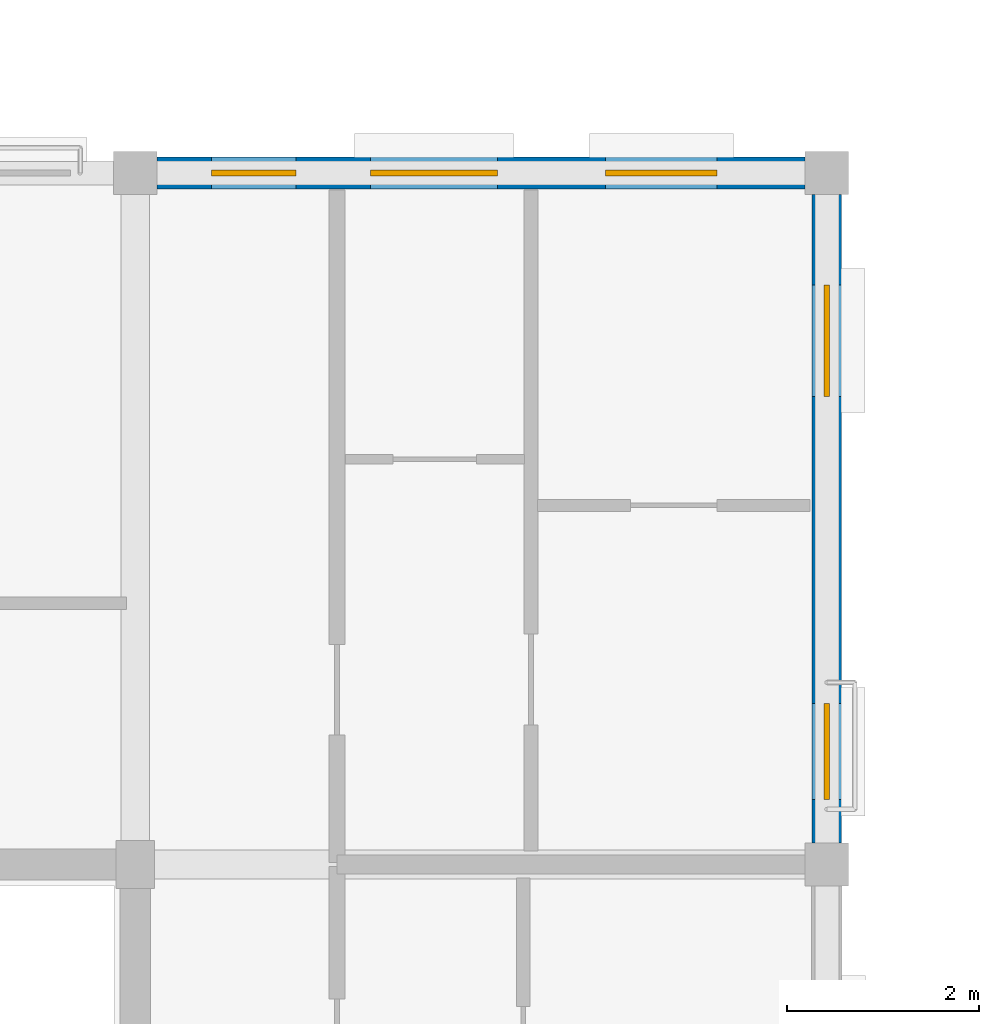
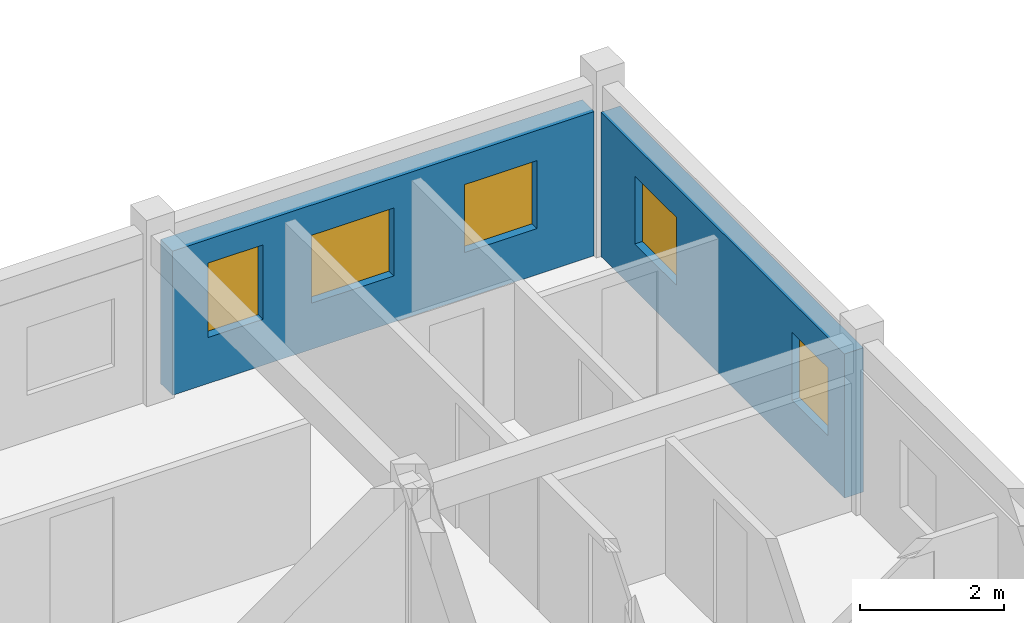
# One storey, part 20 of 28: 5 windows, 2 walls, 5 openings.
"""IFC4 building model written with IfcOpenShell, lengths in metres."""

import ifcopenshell
import ifcopenshell.guid

model = None  # the IFC model being written
_history = None  # IfcOwnerHistory: only IFC2X3 demands one
_inside = {}  # id of a spatial element -> (the spatial element, [elements in it])
_under = {}  # id of a project, library or spatial element -> (it, [spatial elements below it])
_declared = {}  # id of a project -> (the project, [libraries it declares])
_typed = {}  # id of a type object -> (the type object, [elements of that type])
_made_of = {}  # id of a material, layer set ... -> (it, [elements and type objects made of it])


def new_model(schema):
    """Start an empty IFC model of exactly this schema.

    Asked for "IFC4X3", IfcOpenShell would pick the latest addendum, in which some entities
    have other attributes; the version numbers below select the first issue.
    IFC2X3 requires an IfcOwnerHistory on every rooted entity: one is made here for all.
    """
    global model, _history
    if schema == "IFC4X3":
        model = ifcopenshell.file(schema_version=(4, 3, 0, 0))
    else:
        model = ifcopenshell.file(schema=schema)
    _inside.clear()
    _under.clear()
    _declared.clear()
    _typed.clear()
    _made_of.clear()
    _history = None
    if model.schema == "IFC2X3":
        org = make("IfcOrganization", Name="unknown")
        user = make(
            "IfcPersonAndOrganization",
            ThePerson=make("IfcPerson", FamilyName="unknown"),
            TheOrganization=org,
        )
        app = make(
            "IfcApplication",
            ApplicationDeveloper=org,
            Version="unknown",
            ApplicationFullName="unknown",
            ApplicationIdentifier="unknown",
        )
        _history = make(
            "IfcOwnerHistory",
            OwningUser=user,
            OwningApplication=app,
            ChangeAction="ADDED",
            CreationDate=0,
        )
    return model


def make(cls, **values):
    """One entity of the class cls with the attributes given. An attribute that is None is left unset."""
    return model.create_entity(
        cls, **{name: value for name, value in values.items() if value is not None}
    )


def rooted(cls, **values):
    """An entity with a GlobalId (a new one), such as an element, a storey or a relation."""
    return make(cls, GlobalId=ifcopenshell.guid.new(), OwnerHistory=_history, **values)


def si_unit(unit_type, name, prefix=None):
    """IfcSIUnit, for example si_unit("LENGTHUNIT", "METRE", prefix="MILLI")."""
    return make("IfcSIUnit", UnitType=unit_type, Prefix=prefix, Name=name)


def assignment(units):
    """IfcUnitAssignment: the units of a project."""
    return None if units is None else make("IfcUnitAssignment", Units=units)


def point(xyz):
    """IfcCartesianPoint."""
    return None if xyz is None else make("IfcCartesianPoint", Coordinates=xyz)


def direction(xyz):
    """IfcDirection."""
    return None if xyz is None else make("IfcDirection", DirectionRatios=xyz)


def frame(location, z_axis=None, x_axis=None):
    """IfcAxis2Placement3D, a coordinate frame: its origin and axes. An axis left out is left unset."""
    return make(
        "IfcAxis2Placement3D",
        Location=point(location),
        Axis=direction(z_axis),
        RefDirection=direction(x_axis),
    )


def frame_2d(location, x_axis=None):
    """IfcAxis2Placement2D, a coordinate frame in the plane: its origin and x axis."""
    return make(
        "IfcAxis2Placement2D", Location=point(location), RefDirection=direction(x_axis)
    )


def origin():
    """The frame at (0, 0, 0) with its axes left unset."""
    return frame((0.0, 0.0, 0.0))


def place(relative_to, where):
    """IfcLocalPlacement: puts the frame where relative to a parent placement (None: the world)."""
    return make(
        "IfcLocalPlacement", PlacementRelTo=relative_to, RelativePlacement=where
    )


def context(
    kind, dimensions, precision=None, world=None, true_north=None, identifier=None
):
    """IfcGeometricRepresentationContext, for example the 3D "Model" context."""
    return make(
        "IfcGeometricRepresentationContext",
        ContextIdentifier=identifier,
        ContextType=kind,
        CoordinateSpaceDimension=dimensions,
        Precision=precision,
        WorldCoordinateSystem=world,
        TrueNorth=true_north,
    )


def subcontext(parent, identifier, kind, view, scale=None):
    """IfcGeometricRepresentationSubContext, for example "Body" below "Model"."""
    return make(
        "IfcGeometricRepresentationSubContext",
        ContextIdentifier=identifier,
        ContextType=kind,
        ParentContext=parent,
        TargetScale=scale,
        TargetView=view,
    )


def project(units=None, contexts=None):
    """IfcProject with its units and contexts."""
    return rooted(
        "IfcProject",
        Name="project",
        RepresentationContexts=contexts,
        UnitsInContext=assignment(units),
    )


def spatial(cls, under=None, at=None, **own):
    """A site, building, storey or space (cls), placed at a placement, below another one or the project."""
    s = rooted(cls, ObjectPlacement=at, **own)
    if under is not None:
        _under.setdefault(under.id(), (under, []))[1].append(s)
    return s


def profile(cls, at=None, kind="AREA", **sizes):
    """A parametric profile (cls). Its sizes go by their IFC names, for example OverallWidth=200.0."""
    return make(cls, ProfileType=kind, Position=at, **sizes)


def rectangle(**sizes):
    """IfcRectangleProfileDef."""
    return profile("IfcRectangleProfileDef", **sizes)


def extrude(swept, where, along, depth):
    """IfcExtrudedAreaSolid: the profile swept, set in the frame where, extruded along a direction by depth."""
    return make(
        "IfcExtrudedAreaSolid",
        SweptArea=swept,
        Position=where,
        ExtrudedDirection=direction(along),
        Depth=depth,
    )


def shape(context_of_items, identifier, shape_type, items):
    """IfcShapeRepresentation: the items that make up one representation, for example the "Body"."""
    return make(
        "IfcShapeRepresentation",
        ContextOfItems=context_of_items,
        RepresentationIdentifier=identifier,
        RepresentationType=shape_type,
        Items=items,
    )


def material(Name=None, Category=None):
    """IfcMaterial."""
    return make("IfcMaterial", Name=Name, Category=Category)


def layer(
    of_material, thickness, ventilated=None, Name=None, Category=None, Priority=None
):
    """IfcMaterialLayer: one layer of a wall or slab, of a material (None: an air gap)."""
    return make(
        "IfcMaterialLayer",
        Material=of_material,
        LayerThickness=thickness,
        IsVentilated=ventilated,
        Name=Name,
        Category=Category,
        Priority=Priority,
    )


def layer_set(layers, Name=None):
    """IfcMaterialLayerSet."""
    return make("IfcMaterialLayerSet", MaterialLayers=layers, LayerSetName=Name)


def made_of(thing, what):
    """Note that an element or type object is made of a material, layer set ...; save() writes the relation."""
    if what is not None:
        _made_of.setdefault(what.id(), (what, []))[1].append(thing)
    return thing


def type_object(cls, material=None, **own):
    """A type object (cls), such as IfcWallType, which elements share."""
    return made_of(rooted(cls, **own), material)


def element(
    cls,
    number,
    at=None,
    inside=None,
    cuts=None,
    type_object=None,
    material=None,
    context=None,
    identifier="Body",
    shape_type=None,
    held_by="IfcProductDefinitionShape",
    body=None,
    shapes=None,
    **own,
):
    """One element of the class cls, such as IfcWall. Its Tag is "e" and its number.

    at: its placement. inside: the storey or other place that contains it. cuts: it is an
    opening in that element (IfcRelVoidsElement). A single representation is given by context,
    identifier, shape_type and body (its items); several are given by shapes. held_by: the class
    of the entity that holds the representations. save() writes the other relations.
    """
    e = rooted(cls, Tag="e%d" % number, ObjectPlacement=at, **own)
    if body is not None:
        shapes = [shape(context, identifier, shape_type, body)]
    if shapes is not None:
        e.Representation = make(held_by, Representations=shapes)
    if inside is not None:
        _inside.setdefault(inside.id(), (inside, []))[1].append(e)
    if cuts is not None:
        rooted(
            "IfcRelVoidsElement", RelatingBuildingElement=cuts, RelatedOpeningElement=e
        )
    if type_object is not None:
        _typed.setdefault(type_object.id(), (type_object, []))[1].append(e)
    return made_of(e, material)


def fill(opening, filler):
    """IfcRelFillsElement: the door or window that sits in an opening."""
    return rooted(
        "IfcRelFillsElement",
        RelatingOpeningElement=opening,
        RelatedBuildingElement=filler,
    )


def aggregate(whole, parts):
    """IfcRelAggregates: a whole, such as a stair, and the parts it consists of."""
    return rooted("IfcRelAggregates", RelatingObject=whole, RelatedObjects=parts)


def save(model, path):
    """Write the relations noted so far, then the file.

    IfcRelAggregates (storeys below a building ...), IfcRelContainedInSpatialStructure (elements
    in a storey), IfcRelDefinesByType, IfcRelAssociatesMaterial and IfcRelDeclares: one each for
    every whole, place, type object, material and project.
    """
    for whole, parts in _under.values():
        aggregate(whole, parts)
    for where, things in _inside.values():
        rooted(
            "IfcRelContainedInSpatialStructure",
            RelatedElements=things,
            RelatingStructure=where,
        )
    for kind, things in _typed.values():
        rooted("IfcRelDefinesByType", RelatedObjects=things, RelatingType=kind)
    for what, things in _made_of.values():
        rooted("IfcRelAssociatesMaterial", RelatedObjects=things, RelatingMaterial=what)
    for by, libraries in _declared.values():
        rooted("IfcRelDeclares", RelatingContext=by, RelatedDefinitions=libraries)
    model.write(path)


model = new_model("IFC4")

# Units and contexts
model_context = context("Model", 3, precision=1e-05, world=origin(), true_north=direction((0.0, 1.0)))
body_context = subcontext(model_context, "Body", "Model", "MODEL_VIEW")
ifc_project = project(units=[si_unit("LENGTHUNIT", "METRE"), si_unit("AREAUNIT", "SQUARE_METRE"), si_unit("VOLUMEUNIT", "CUBIC_METRE"), si_unit("PLANEANGLEUNIT", "RADIAN"), si_unit("MASSUNIT", "GRAM", prefix="KILO"), si_unit("THERMODYNAMICTEMPERATUREUNIT", "KELVIN"), si_unit("POWERUNIT", "WATT")], contexts=[model_context])

# Site, building, storey
site_placement = place(None, origin())
site = spatial("IfcSite", under=ifc_project, at=site_placement, CompositionType="ELEMENT")
building_placement = place(site_placement, origin())
building = spatial("IfcBuilding", under=site, at=building_placement, Name="Tavuni Mirador Residences", CompositionType="ELEMENT")
storey_placement = place(building_placement, frame((0.0, 0.0, 39.14990234375)))
storey = spatial("IfcBuildingStorey", under=building, at=storey_placement, Name="L12", CompositionType="ELEMENT", Elevation=39.14990234375)

# Wall, openings, windows
ifc_material_1 = material(Name="Precast concrete C40/50", Category="concrete")
ifc_layer_1 = layer(ifc_material_1, 0.330078125, Name="Precast concrete C40/50", Category="concrete")
ifc_layer_set_1 = layer_set([ifc_layer_1], Name="Precast concrete C40/50")
wall_type_1 = type_object("IfcWallType", Name="WT-EXT-COR330", PredefinedType="SOLIDWALL", material=ifc_layer_set_1)
wall_1_placement = place(storey_placement, frame((24.97509765625, 43.199951171875, 0.0), z_axis=(0.0, 0.0, 1.0), x_axis=(-1.0, 0.0, 0.0)))
wall_1 = element("IfcWall", 1, at=wall_1_placement, inside=storey, type_object=wall_type_1, Name="EW-BLK-A-L12-N02", PredefinedType="SOLIDWALL", context=body_context, shape_type="SweptSolid", body=[
    extrude(rectangle(XDim=6.75, YDim=0.330078125, at=frame_2d((3.375, 0.0))), origin(), (0.0, 0.0, 1.0), 2.440185546875),
])
opening_1_placement = place(wall_1_placement, frame((0.91748046875, 0.0, 0.780029296875)))
opening_1 = element("IfcOpeningElement", 2, at=opening_1_placement, cuts=wall_1, Name="Opening WN-05", PredefinedType="OPENING", context=body_context, shape_type="SweptSolid", body=[
    extrude(rectangle(XDim=1.159912109375, YDim=1.14990234375, at=frame_2d((0.580078125, 0.574951171875))), frame((0.0, 0.175048828125, 0.0), z_axis=(0.0, -1.0, 0.0), x_axis=(1.0, 0.0, 0.0)), (0.0, 0.0, 1.0), 0.35009765625),
])
opening_2_placement = place(wall_1_placement, frame((3.205078125, 0.0, 0.780029296875)))
opening_2 = element("IfcOpeningElement", 3, at=opening_2_placement, cuts=wall_1, Name="Opening WN-07", PredefinedType="OPENING", context=body_context, shape_type="SweptSolid", body=[
    extrude(rectangle(XDim=1.320068359375, YDim=1.14990234375, at=frame_2d((0.66015625, 0.574951171875))), frame((0.0, 0.175048828125, 0.0), z_axis=(0.0, -1.0, 0.0), x_axis=(1.0, 0.0, 0.0)), (0.0, 0.0, 1.0), 0.35009765625),
])
opening_3_placement = place(wall_1_placement, frame((5.302490234375, 0.0, 0.780029296875)))
opening_3 = element("IfcOpeningElement", 4, at=opening_3_placement, cuts=wall_1, Name="Opening WN-09", PredefinedType="OPENING", context=body_context, shape_type="SweptSolid", body=[
    extrude(rectangle(XDim=0.8798828125, YDim=1.260009765625, at=frame_2d((0.43994140625, 0.6298828125))), frame((0.0, 0.175048828125, 0.0), z_axis=(0.0, -1.0, 0.0), x_axis=(1.0, 0.0, 0.0)), (0.0, 0.0, 1.0), 0.35009765625),
])
ifc_material_2 = material(Name="Laminated solar-control glass", Category="glass")
window_type_1 = type_object("IfcWindowType", Name="WNT-05", PartitioningType="SINGLE_PANEL", PredefinedType="WINDOW", material=ifc_material_2)
window_1_placement = place(opening_1_placement, origin())
window_1 = element("IfcWindow", 5, at=window_1_placement, inside=storey, type_object=window_type_1, Name="WIN-0442", OverallHeight=1.14990234375, OverallWidth=1.159912109375, PartitioningType="SINGLE_PANEL", PredefinedType="WINDOW", context=body_context, shape_type="SweptSolid", body=[
    extrude(rectangle(XDim=1.159912109375, YDim=1.14990234375, at=frame_2d((0.580078125, 0.574951171875))), frame((0.0, 0.030029296875, 0.0), z_axis=(0.0, -1.0, 0.0), x_axis=(1.0, 0.0, 0.0)), (0.0, 0.0, 1.0), 0.06005859375),
])
fill(opening_1, window_1)
window_type_2 = type_object("IfcWindowType", Name="WNT-07", PartitioningType="SINGLE_PANEL", PredefinedType="WINDOW", material=ifc_material_2)
window_2_placement = place(opening_2_placement, origin())
window_2 = element("IfcWindow", 6, at=window_2_placement, inside=storey, type_object=window_type_2, Name="WIN-0443", OverallHeight=1.14990234375, OverallWidth=1.320068359375, PartitioningType="SINGLE_PANEL", PredefinedType="WINDOW", context=body_context, shape_type="SweptSolid", body=[
    extrude(rectangle(XDim=1.320068359375, YDim=1.14990234375, at=frame_2d((0.66015625, 0.574951171875))), frame((0.0, 0.030029296875, 0.0), z_axis=(0.0, -1.0, 0.0), x_axis=(1.0, 0.0, 0.0)), (0.0, 0.0, 1.0), 0.06005859375),
])
fill(opening_2, window_2)
window_type_3 = type_object("IfcWindowType", Name="WNT-09", PartitioningType="SINGLE_PANEL", PredefinedType="WINDOW", material=ifc_material_2)
window_3_placement = place(opening_3_placement, origin())
window_3 = element("IfcWindow", 7, at=window_3_placement, inside=storey, type_object=window_type_3, Name="WIN-0444", OverallHeight=1.260009765625, OverallWidth=0.8798828125, PartitioningType="SINGLE_PANEL", PredefinedType="WINDOW", context=body_context, shape_type="SweptSolid", body=[
    extrude(rectangle(XDim=0.8798828125, YDim=1.260009765625, at=frame_2d((0.43994140625, 0.6298828125))), frame((0.0, 0.030029296875, 0.0), z_axis=(0.0, -1.0, 0.0), x_axis=(1.0, 0.0, 0.0)), (0.0, 0.0, 1.0), 0.06005859375),
])
fill(opening_3, window_3)

ifc_material_3 = material(Name="Sgraffito lime-rendered precast concrete C40/50", Category="concrete")
ifc_layer_2 = layer(ifc_material_3, 0.304931640625, Name="Sgraffito lime-rendered precast concrete C40/50", Category="concrete")
ifc_layer_set_2 = layer_set([ifc_layer_2], Name="Sgraffito lime-rendered precast concrete C40/50")
wall_type_2 = type_object("IfcWallType", Name="WT-EXT-PC305", PredefinedType="SOLIDWALL", material=ifc_layer_set_2)
wall_2_placement = place(storey_placement, frame((25.199951171875, 36.22509765625, 0.0), z_axis=(0.0, 0.0, 1.0), x_axis=(0.0, 1.0, 0.0)))
wall_2 = element("IfcWall", 8, at=wall_2_placement, inside=storey, type_object=wall_type_2, Name="EW-BLK-A-L12-E04", PredefinedType="SOLIDWALL", context=body_context, shape_type="SweptSolid", body=[
    extrude(rectangle(XDim=6.75, YDim=0.304931640625, at=frame_2d((3.375, 0.0))), origin(), (0.0, 0.0, 1.0), 2.440185546875),
])
opening_4_placement = place(wall_2_placement, frame((0.449951171875, 0.0, 0.780029296875)))
opening_4 = element("IfcOpeningElement", 9, at=opening_4_placement, cuts=wall_2, Name="Opening WN-03", PredefinedType="OPENING", context=body_context, shape_type="SweptSolid", body=[
    extrude(rectangle(XDim=1.0, YDim=1.14990234375, at=frame_2d((0.5, 0.574951171875))), frame((0.0, 0.16259765625, 0.0), z_axis=(0.0, -1.0, 0.0), x_axis=(1.0, 0.0, 0.0)), (0.0, 0.0, 1.0), 0.324951171875),
])
opening_5_placement = place(wall_2_placement, frame((4.64990234375, 0.0, 0.780029296875)))
opening_5 = element("IfcOpeningElement", 10, at=opening_5_placement, cuts=wall_2, Name="Opening WN-05", PredefinedType="OPENING", context=body_context, shape_type="SweptSolid", body=[
    extrude(rectangle(XDim=1.159912109375, YDim=1.14990234375, at=frame_2d((0.580078125, 0.574951171875))), frame((0.0, 0.16259765625, 0.0), z_axis=(0.0, -1.0, 0.0), x_axis=(1.0, 0.0, 0.0)), (0.0, 0.0, 1.0), 0.324951171875),
])
window_type_4 = type_object("IfcWindowType", Name="WNT-03", PartitioningType="SINGLE_PANEL", PredefinedType="WINDOW", material=ifc_material_2)
window_4_placement = place(opening_4_placement, origin())
window_4 = element("IfcWindow", 11, at=window_4_placement, inside=storey, type_object=window_type_4, Name="WIN-0440", OverallHeight=1.14990234375, OverallWidth=1.0, PartitioningType="SINGLE_PANEL", PredefinedType="WINDOW", context=body_context, shape_type="SweptSolid", body=[
    extrude(rectangle(XDim=1.0, YDim=1.14990234375, at=frame_2d((0.5, 0.574951171875))), frame((0.0, 0.030029296875, 0.0), z_axis=(0.0, -1.0, 0.0), x_axis=(1.0, 0.0, 0.0)), (0.0, 0.0, 1.0), 0.06005859375),
])
fill(opening_4, window_4)
window_5_placement = place(opening_5_placement, origin())
window_5 = element("IfcWindow", 12, at=window_5_placement, inside=storey, type_object=window_type_1, Name="WIN-0441", OverallHeight=1.14990234375, OverallWidth=1.159912109375, PartitioningType="SINGLE_PANEL", PredefinedType="WINDOW", context=body_context, shape_type="SweptSolid", body=[
    extrude(rectangle(XDim=1.159912109375, YDim=1.14990234375, at=frame_2d((0.580078125, 0.574951171875))), frame((0.0, 0.030029296875, 0.0), z_axis=(0.0, -1.0, 0.0), x_axis=(1.0, 0.0, 0.0)), (0.0, 0.0, 1.0), 0.06005859375),
])
fill(opening_5, window_5)

save(model, "model.ifc")
